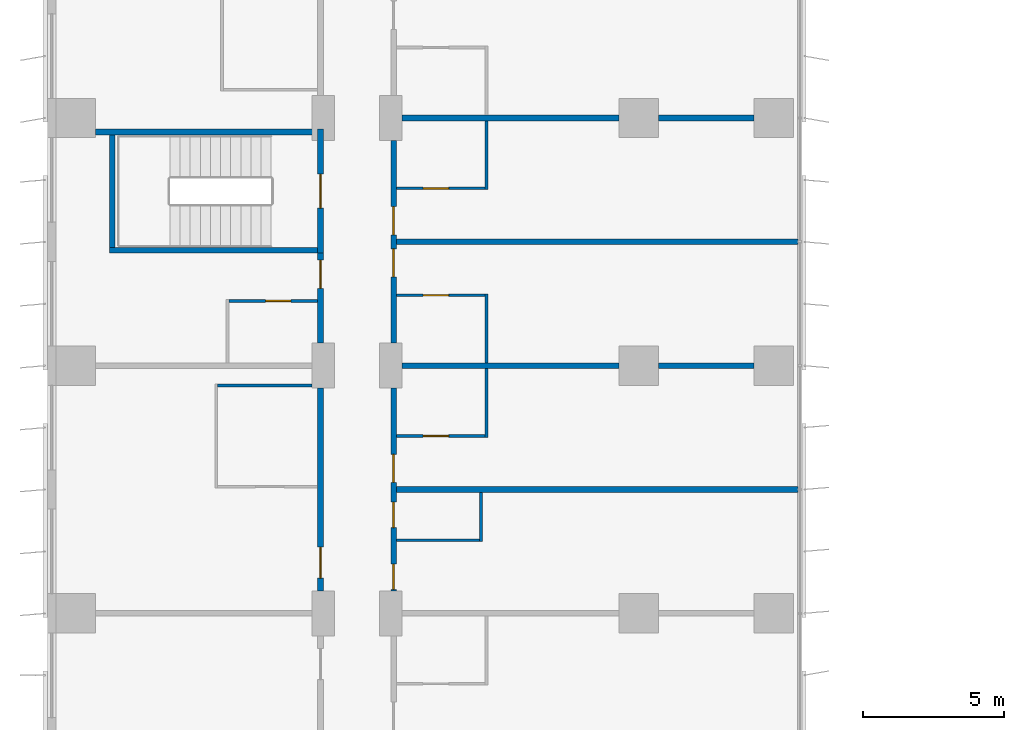
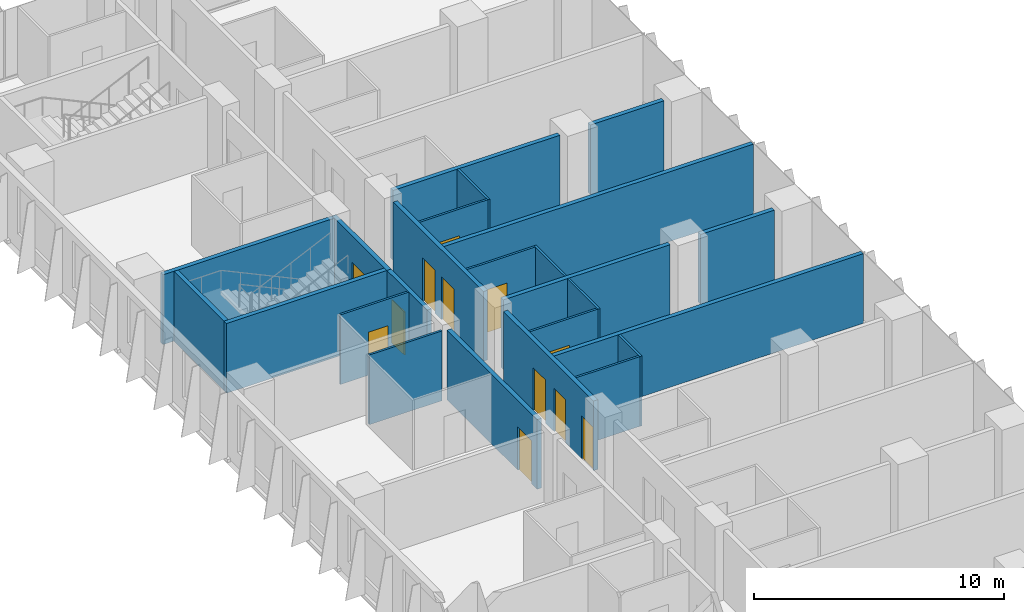
# One storey, part 17 of 24: 24 walls, 12 doors, 12 openings.
"""IFC4 building model written with IfcOpenShell, lengths in metres."""

from ifc_helpers import new_model, si_unit, direction, frame, frame_2d, origin, place, context, subcontext, project, spatial, rectangle, extrude, material, layer, layer_set, type_object, element, fill, save


model = new_model("IFC4")

# Units and contexts
model_context = context("Model", 3, precision=1e-05, world=origin(), true_north=direction((0.0, 1.0)))
body_context = subcontext(model_context, "Body", "Model", "MODEL_VIEW")
ifc_project = project(units=[si_unit("LENGTHUNIT", "METRE"), si_unit("AREAUNIT", "SQUARE_METRE"), si_unit("VOLUMEUNIT", "CUBIC_METRE"), si_unit("PLANEANGLEUNIT", "RADIAN"), si_unit("MASSUNIT", "GRAM", prefix="KILO")], contexts=[model_context])

# Site, building, storey
site_placement = place(None, origin())
site = spatial("IfcSite", under=ifc_project, at=site_placement, CompositionType="ELEMENT")
building_placement = place(site_placement, origin())
building = spatial("IfcBuilding", under=site, at=building_placement, Name="Kemantara Hotel Tower", CompositionType="ELEMENT")
storey_placement = place(building_placement, frame((0.0, 0.0, 59.89990234375)))
storey = spatial("IfcBuildingStorey", under=building, at=storey_placement, Name="L13", CompositionType="ELEMENT", Elevation=59.89990234375)

# Wall, opening, door
ifc_material_1 = material(Name="Gypsum board partition, steel studs and mineral wool, 200 mm", Category="steel")
ifc_layer_1 = layer(ifc_material_1, 0.199951171875)
ifc_layer_set_1 = layer_set([ifc_layer_1], Name="Gypsum board partition, steel studs and mineral wool, 200 mm")
wall_type_1 = type_object("IfcWallType", Name="CORRIDOR WALL 200", PredefinedType="PARTITIONING", material=ifc_layer_set_1)
wall_1_placement = place(storey_placement, frame((9.699951171875, 45.800048828125, 0.0), z_axis=(0.0, 0.0, 1.0), x_axis=(0.0, 1.0, 0.0)))
wall_1 = element("IfcWall", 1, at=wall_1_placement, inside=storey, type_object=wall_type_1, Name="CORRIDOR WALL 200 030", PredefinedType="PARTITIONING", context=body_context, shape_type="SweptSolid", body=[
    extrude(rectangle(XDim=7.199951171875, YDim=0.199951171875, at=frame_2d((3.60009765625, 0.0))), origin(), (0.0, 0.0, 1.0), 3.400146484375),
])
opening_1_placement = place(wall_1_placement, frame((0.449951171875, 0.0, 0.0)))
opening_1 = element("IfcOpeningElement", 2, at=opening_1_placement, cuts=wall_1, Name="Opening F04-041", PredefinedType="OPENING", context=body_context, shape_type="SweptSolid", body=[
    extrude(rectangle(XDim=1.10009765625, YDim=2.10009765625, at=frame_2d((0.550048828125, 1.050048828125))), frame((0.0, 0.10986328125, 0.0), z_axis=(0.0, -1.0, 0.0), x_axis=(1.0, 0.0, 0.0)), (0.0, 0.0, 1.0), 0.219970703125),
])
ifc_material_2 = material(Name="Hardwood veneer door leaf with steel frame", Category="steel")
door_type_1 = type_object("IfcDoorType", Name="GUEST ROOM DOOR 1100 X 2100 FD30S", OperationType="NOTDEFINED", PredefinedType="DOOR", material=ifc_material_2)
door_1_placement = place(opening_1_placement, origin())
door_1 = element("IfcDoor", 3, at=door_1_placement, inside=storey, type_object=door_type_1, Name="GUEST ROOM DOOR F04-041", OperationType="SINGLE_SWING_LEFT", OverallHeight=2.10009765625, OverallWidth=1.10009765625, PredefinedType="DOOR", context=body_context, shape_type="SweptSolid", body=[
    extrude(rectangle(XDim=1.10009765625, YDim=2.10009765625, at=frame_2d((0.550048828125, 1.050048828125))), frame((0.0, 0.02490234375, 0.0), z_axis=(0.0, -1.0, 0.0), x_axis=(1.0, 0.0, 0.0)), (0.0, 0.0, 1.0), 0.050048828125),
])
fill(opening_1, door_1)

wall_2_placement = place(storey_placement, frame((9.699951171875, 54.60009765625, 0.0), z_axis=(0.0, 0.0, 1.0), x_axis=(0.0, 1.0, 0.0)))
wall_2 = element("IfcWall", 4, at=wall_2_placement, inside=storey, type_object=wall_type_1, Name="CORRIDOR WALL 200 031", PredefinedType="PARTITIONING", context=body_context, shape_type="SweptSolid", body=[
    extrude(rectangle(XDim=3.199951171875, YDim=0.199951171875, at=frame_2d((1.60009765625, 0.0))), origin(), (0.0, 0.0, 1.0), 3.400146484375),
])
opening_2_placement = place(wall_2_placement, frame((1.949951171875, 0.0, 0.0)))
opening_2 = element("IfcOpeningElement", 5, at=opening_2_placement, cuts=wall_2, Name="Opening F04-043", PredefinedType="OPENING", context=body_context, shape_type="SweptSolid", body=[
    extrude(rectangle(XDim=1.0, YDim=2.10009765625, at=frame_2d((0.5, 1.050048828125))), frame((0.0, 0.10986328125, 0.0), z_axis=(0.0, -1.0, 0.0), x_axis=(1.0, 0.0, 0.0)), (0.0, 0.0, 1.0), 0.219970703125),
])
door_type_2 = type_object("IfcDoorType", Name="GUEST ROOM DOOR 1000 X 2100 FD30S", OperationType="NOTDEFINED", PredefinedType="DOOR", material=ifc_material_2)
door_2_placement = place(opening_2_placement, origin())
door_2 = element("IfcDoor", 6, at=door_2_placement, inside=storey, type_object=door_type_2, Name="GUEST ROOM DOOR F04-043", OperationType="SINGLE_SWING_RIGHT", OverallHeight=2.10009765625, OverallWidth=1.0, PredefinedType="DOOR", context=body_context, shape_type="SweptSolid", body=[
    extrude(rectangle(XDim=1.0, YDim=2.10009765625, at=frame_2d((0.5, 1.050048828125))), frame((0.0, 0.02490234375, 0.0), z_axis=(0.0, -1.0, 0.0), x_axis=(1.0, 0.0, 0.0)), (0.0, 0.0, 1.0), 0.050048828125),
])
fill(opening_2, door_2)

# Wall, openings, doors
wall_3_placement = place(storey_placement, frame((12.300048828125, 53.0, 0.0), z_axis=(0.0, 0.0, 1.0), x_axis=(0.0, -1.0, 0.0)))
wall_3 = element("IfcWall", 7, at=wall_3_placement, inside=storey, type_object=wall_type_1, Name="CORRIDOR WALL 200 050", PredefinedType="PARTITIONING", context=body_context, shape_type="SweptSolid", body=[
    extrude(rectangle(XDim=7.199951171875, YDim=0.199951171875, at=frame_2d((3.60009765625, 0.0))), origin(), (0.0, 0.0, 1.0), 3.400146484375),
])
opening_3_placement = place(wall_3_placement, frame((6.25, 0.0, 0.0)))
opening_3 = element("IfcOpeningElement", 8, at=opening_3_placement, cuts=wall_3, Name="Opening F04-057", PredefinedType="OPENING", context=body_context, shape_type="SweptSolid", body=[
    extrude(rectangle(XDim=0.89990234375, YDim=2.10009765625, at=frame_2d((0.449951171875, 1.050048828125))), frame((0.0, 0.10986328125, 0.0), z_axis=(0.0, -1.0, 0.0), x_axis=(1.0, 0.0, 0.0)), (0.0, 0.0, 1.0), 0.219970703125),
])
opening_4_placement = place(wall_3_placement, frame((4.0498046875, 0.0, 0.0)))
opening_4 = element("IfcOpeningElement", 9, at=opening_4_placement, cuts=wall_3, Name="Opening F04-058", PredefinedType="OPENING", context=body_context, shape_type="SweptSolid", body=[
    extrude(rectangle(XDim=0.89990234375, YDim=2.10009765625, at=frame_2d((0.449951171875, 1.050048828125))), frame((0.0, 0.10986328125, 0.0), z_axis=(0.0, -1.0, 0.0), x_axis=(1.0, 0.0, 0.0)), (0.0, 0.0, 1.0), 0.219970703125),
])
opening_5_placement = place(wall_3_placement, frame((2.349853515625, 0.0, 0.0)))
opening_5 = element("IfcOpeningElement", 10, at=opening_5_placement, cuts=wall_3, Name="Opening F04-059", PredefinedType="OPENING", context=body_context, shape_type="SweptSolid", body=[
    extrude(rectangle(XDim=1.0, YDim=2.10009765625, at=frame_2d((0.5, 1.050048828125))), frame((0.0, 0.10986328125, 0.0), z_axis=(0.0, -1.0, 0.0), x_axis=(1.0, 0.0, 0.0)), (0.0, 0.0, 1.0), 0.219970703125),
])
door_3_placement = place(opening_5_placement, origin())
door_3 = element("IfcDoor", 11, at=door_3_placement, inside=storey, type_object=door_type_2, Name="GUEST ROOM DOOR F04-059", OperationType="SINGLE_SWING_RIGHT", OverallHeight=2.10009765625, OverallWidth=1.0, PredefinedType="DOOR", context=body_context, shape_type="SweptSolid", body=[
    extrude(rectangle(XDim=1.0, YDim=2.10009765625, at=frame_2d((0.5, 1.050048828125))), frame((0.0, 0.02490234375, 0.0), z_axis=(0.0, -1.0, 0.0), x_axis=(1.0, 0.0, 0.0)), (0.0, 0.0, 1.0), 0.050048828125),
])
fill(opening_5, door_3)
ifc_material_3 = material(Name="Steel door leaf with steel frame", Category="steel")
door_type_3 = type_object("IfcDoorType", Name="SERVICE ROOM DOOR 900 X 2100 FD60", OperationType="NOTDEFINED", PredefinedType="DOOR", material=ifc_material_3)
door_4_placement = place(opening_3_placement, origin())
door_4 = element("IfcDoor", 12, at=door_4_placement, inside=storey, type_object=door_type_3, Name="SERVICE ROOM DOOR F04-057", OperationType="SINGLE_SWING_RIGHT", OverallHeight=2.10009765625, OverallWidth=0.89990234375, PredefinedType="DOOR", context=body_context, shape_type="SweptSolid", body=[
    extrude(rectangle(XDim=0.89990234375, YDim=2.10009765625, at=frame_2d((0.449951171875, 1.050048828125))), frame((0.0, 0.02490234375, 0.0), z_axis=(0.0, -1.0, 0.0), x_axis=(1.0, 0.0, 0.0)), (0.0, 0.0, 1.0), 0.050048828125),
])
fill(opening_3, door_4)
door_5_placement = place(opening_4_placement, origin())
door_5 = element("IfcDoor", 13, at=door_5_placement, inside=storey, type_object=door_type_3, Name="SERVICE ROOM DOOR F04-058", OperationType="SINGLE_SWING_LEFT", OverallHeight=2.10009765625, OverallWidth=0.89990234375, PredefinedType="DOOR", context=body_context, shape_type="SweptSolid", body=[
    extrude(rectangle(XDim=0.89990234375, YDim=2.10009765625, at=frame_2d((0.449951171875, 1.050048828125))), frame((0.0, 0.02490234375, 0.0), z_axis=(0.0, -1.0, 0.0), x_axis=(1.0, 0.0, 0.0)), (0.0, 0.0, 1.0), 0.050048828125),
])
fill(opening_4, door_5)

wall_4_placement = place(storey_placement, frame((12.300048828125, 61.7998046875, 0.0), z_axis=(0.0, 0.0, 1.0), x_axis=(0.0, -1.0, 0.0)))
wall_4 = element("IfcWall", 14, at=wall_4_placement, inside=storey, type_object=wall_type_1, Name="CORRIDOR WALL 200 051", PredefinedType="PARTITIONING", context=body_context, shape_type="SweptSolid", body=[
    extrude(rectangle(XDim=7.19970703125, YDim=0.199951171875, at=frame_2d((3.599853515625, 0.0))), origin(), (0.0, 0.0, 1.0), 3.400146484375),
])
opening_6_placement = place(wall_4_placement, frame((3.849853515625, 0.0, 0.0)))
opening_6 = element("IfcOpeningElement", 15, at=opening_6_placement, cuts=wall_4, Name="Opening F04-061", PredefinedType="OPENING", context=body_context, shape_type="SweptSolid", body=[
    extrude(rectangle(XDim=1.0, YDim=2.10009765625, at=frame_2d((0.5, 1.050048828125))), frame((0.0, 0.10986328125, 0.0), z_axis=(0.0, -1.0, 0.0), x_axis=(1.0, 0.0, 0.0)), (0.0, 0.0, 1.0), 0.219970703125),
])
opening_7_placement = place(wall_4_placement, frame((2.349853515625, 0.0, 0.0)))
opening_7 = element("IfcOpeningElement", 16, at=opening_7_placement, cuts=wall_4, Name="Opening F04-063", PredefinedType="OPENING", context=body_context, shape_type="SweptSolid", body=[
    extrude(rectangle(XDim=1.0, YDim=2.10009765625, at=frame_2d((0.5, 1.050048828125))), frame((0.0, 0.10986328125, 0.0), z_axis=(0.0, -1.0, 0.0), x_axis=(1.0, 0.0, 0.0)), (0.0, 0.0, 1.0), 0.219970703125),
])
door_6_placement = place(opening_6_placement, origin())
door_6 = element("IfcDoor", 17, at=door_6_placement, inside=storey, type_object=door_type_2, Name="GUEST ROOM DOOR F04-061", OperationType="SINGLE_SWING_LEFT", OverallHeight=2.10009765625, OverallWidth=1.0, PredefinedType="DOOR", context=body_context, shape_type="SweptSolid", body=[
    extrude(rectangle(XDim=1.0, YDim=2.10009765625, at=frame_2d((0.5, 1.050048828125))), frame((0.0, 0.02490234375, 0.0), z_axis=(0.0, -1.0, 0.0), x_axis=(1.0, 0.0, 0.0)), (0.0, 0.0, 1.0), 0.050048828125),
])
fill(opening_6, door_6)
door_7_placement = place(opening_7_placement, origin())
door_7 = element("IfcDoor", 18, at=door_7_placement, inside=storey, type_object=door_type_2, Name="GUEST ROOM DOOR F04-063", OperationType="SINGLE_SWING_RIGHT", OverallHeight=2.10009765625, OverallWidth=1.0, PredefinedType="DOOR", context=body_context, shape_type="SweptSolid", body=[
    extrude(rectangle(XDim=1.0, YDim=2.10009765625, at=frame_2d((0.5, 1.050048828125))), frame((0.0, 0.02490234375, 0.0), z_axis=(0.0, -1.0, 0.0), x_axis=(1.0, 0.0, 0.0)), (0.0, 0.0, 1.0), 0.050048828125),
])
fill(opening_7, door_7)

# Wall, opening, door
ifc_material_4 = material(Name="Concrete fc 40 MPa", Category="concrete")
ifc_layer_2 = layer(ifc_material_4, 0.199951171875)
ifc_layer_set_2 = layer_set([ifc_layer_2], Name="Concrete fc 40 MPa")
wall_type_2 = type_object("IfcWallType", Name="Concrete stair wall 200 mm", PredefinedType="SHEAR", material=ifc_layer_set_2)
wall_5_placement = place(storey_placement, frame((9.699951171875, 57.800048828125, 0.0), z_axis=(0.0, 0.0, 1.0), x_axis=(0.0, 1.0, 0.0)))
wall_5 = element("IfcWall", 19, at=wall_5_placement, inside=storey, type_object=wall_type_2, Name="Stair ST4 enclosure wall with door", PredefinedType="SHEAR", context=body_context, shape_type="SweptSolid", body=[
    extrude(rectangle(XDim=4.39990234375, YDim=0.199951171875, at=frame_2d((2.199951171875, 0.0))), origin(), (0.0, 0.0, 1.0), 3.400146484375),
])
opening_8_placement = place(wall_5_placement, frame((1.60009765625, 0.0, 0.0)))
opening_8 = element("IfcOpeningElement", 20, at=opening_8_placement, cuts=wall_5, Name="Opening ST4-C", PredefinedType="OPENING", context=body_context, shape_type="SweptSolid", body=[
    extrude(rectangle(XDim=1.199951171875, YDim=2.10009765625, at=frame_2d((0.60009765625, 1.050048828125))), frame((0.0, 0.10986328125, 0.0), z_axis=(0.0, -1.0, 0.0), x_axis=(1.0, 0.0, 0.0)), (0.0, 0.0, 1.0), 0.219970703125),
])
ifc_material_5 = material(Name="Steel fire door", Category="steel")
door_type_4 = type_object("IfcDoorType", Name="Fire door FD90 1200 x 2100", OperationType="NOTDEFINED", PredefinedType="DOOR", material=ifc_material_5)
door_8_placement = place(opening_8_placement, origin())
door_8 = element("IfcDoor", 21, at=door_8_placement, inside=storey, type_object=door_type_4, Name="Stair ST4 door", OperationType="SINGLE_SWING_RIGHT", OverallHeight=2.10009765625, OverallWidth=1.199951171875, PredefinedType="DOOR", context=body_context, shape_type="SweptSolid", body=[
    extrude(rectangle(XDim=1.199951171875, YDim=2.10009765625, at=frame_2d((0.60009765625, 1.050048828125))), frame((0.0, 0.02490234375, 0.0), z_axis=(0.0, -1.0, 0.0), x_axis=(1.0, 0.0, 0.0)), (0.0, 0.0, 1.0), 0.050048828125),
])
fill(opening_8, door_8)

# Walls
wall_6_placement = place(storey_placement, frame((1.699951171875, 62.10009765625, 0.0), z_axis=(0.0, 0.0, 1.0), x_axis=(1.0, 0.0, 0.0)))
element("IfcWall", 22, at=wall_6_placement, inside=storey, type_object=wall_type_2, Name="Stair ST4 enclosure wall N", PredefinedType="SHEAR", context=body_context, shape_type="SweptSolid", body=[
    extrude(rectangle(XDim=7.900146484375, YDim=0.199951171875, at=frame_2d((3.9501953125, 0.0))), origin(), (0.0, 0.0, 1.0), 3.400146484375),
])
wall_7_placement = place(storey_placement, frame((2.199951171875, 57.89990234375, 0.0), z_axis=(0.0, 0.0, 1.0), x_axis=(1.0, 0.0, 0.0)))
element("IfcWall", 23, at=wall_7_placement, inside=storey, type_object=wall_type_2, Name="Stair ST4 enclosure wall S", PredefinedType="SHEAR", context=body_context, shape_type="SweptSolid", body=[
    extrude(rectangle(XDim=7.400146484375, YDim=0.199951171875, at=frame_2d((3.7001953125, 0.0))), origin(), (0.0, 0.0, 1.0), 3.400146484375),
])
wall_8_placement = place(storey_placement, frame((2.300048828125, 58.0, 0.0), z_axis=(0.0, 0.0, 1.0), x_axis=(0.0, 1.0, 0.0)))
element("IfcWall", 24, at=wall_8_placement, inside=storey, type_object=wall_type_2, Name="Stair ST4 enclosure wall W", PredefinedType="SHEAR", context=body_context, shape_type="SweptSolid", body=[
    extrude(rectangle(XDim=4.0, YDim=0.199951171875, at=frame_2d((2.0, 0.0))), origin(), (0.0, 0.0, 1.0), 3.400146484375),
])
ifc_layer_3 = layer(ifc_material_1, 0.199951171875)
ifc_layer_set_3 = layer_set([ifc_layer_3], Name="Gypsum board partition, steel studs and mineral wool, 200 mm")
wall_type_3 = type_object("IfcWallType", Name="GUEST ROOM PARTY WALL 200", PredefinedType="PARTITIONING", material=ifc_layer_set_3)
wall_9_placement = place(storey_placement, frame((12.60009765625, 53.800048828125, 0.0), z_axis=(0.0, 0.0, 1.0), x_axis=(1.0, 0.0, 0.0)))
element("IfcWall", 25, at=wall_9_placement, inside=storey, type_object=wall_type_3, Name="GUEST ROOM PARTY WALL 200 045", PredefinedType="PARTITIONING", context=body_context, shape_type="SweptSolid", body=[
    extrude(rectangle(XDim=7.69970703125, YDim=0.199951171875, at=frame_2d((3.849853515625, 0.0))), origin(), (0.0, 0.0, 1.0), 3.400146484375),
])
wall_10_placement = place(storey_placement, frame((21.7001953125, 53.800048828125, 0.0), z_axis=(0.0, 0.0, 1.0), x_axis=(1.0, 0.0, 0.0)))
element("IfcWall", 26, at=wall_10_placement, inside=storey, type_object=wall_type_3, Name="GUEST ROOM PARTY WALL 200 046", PredefinedType="PARTITIONING", context=body_context, shape_type="SweptSolid", body=[
    extrude(rectangle(XDim=3.399658203125, YDim=0.199951171875, at=frame_2d((1.69970703125, 0.0))), origin(), (0.0, 0.0, 1.0), 3.400146484375),
])
for number, where, z_axis, x_axis, name in (
    (27, (12.39990234375, 49.39990234375, 0.0), (0.0, 0.0, 1.0), (1.0, 0.0, 0.0), "GUEST ROOM PARTY WALL 200 058"),
    (28, (12.39990234375, 58.199951171875, 0.0), (0.0, 0.0, 1.0), (1.0, 0.0, 0.0), "GUEST ROOM PARTY WALL 200 059"),
):
    element("IfcWall", number, at=place(storey_placement, frame(where, z_axis=z_axis, x_axis=x_axis)), inside=storey, type_object=wall_type_3, Name=name, PredefinedType="PARTITIONING", context=body_context, shape_type="SweptSolid", body=[
        extrude(rectangle(XDim=14.27001953125, YDim=0.199951171875, at=frame_2d((7.135009765625, 0.0))), origin(), (0.0, 0.0, 1.0), 3.400146484375),
    ])
wall_11_placement = place(storey_placement, frame((12.60009765625, 62.60009765625, 0.0), z_axis=(0.0, 0.0, 1.0), x_axis=(1.0, 0.0, 0.0)))
element("IfcWall", 29, at=wall_11_placement, inside=storey, type_object=wall_type_3, Name="GUEST ROOM PARTY WALL 200 060", PredefinedType="PARTITIONING", context=body_context, shape_type="SweptSolid", body=[
    extrude(rectangle(XDim=7.69970703125, YDim=0.199951171875, at=frame_2d((3.849853515625, 0.0))), origin(), (0.0, 0.0, 1.0), 3.400146484375),
])
wall_12_placement = place(storey_placement, frame((21.7001953125, 62.60009765625, 0.0), z_axis=(0.0, 0.0, 1.0), x_axis=(1.0, 0.0, 0.0)))
element("IfcWall", 30, at=wall_12_placement, inside=storey, type_object=wall_type_3, Name="GUEST ROOM PARTY WALL 200 061", PredefinedType="PARTITIONING", context=body_context, shape_type="SweptSolid", body=[
    extrude(rectangle(XDim=3.399658203125, YDim=0.199951171875, at=frame_2d((1.69970703125, 0.0))), origin(), (0.0, 0.0, 1.0), 3.400146484375),
])
ifc_material_6 = material(Name="Gypsum board partition on steel studs, 100 mm", Category="steel")
ifc_layer_4 = layer(ifc_material_6, 0.10009765625)
ifc_layer_set_4 = layer_set([ifc_layer_4], Name="Gypsum board partition on steel studs, 100 mm")
wall_type_4 = type_object("IfcWallType", Name="ROOM PARTITION 100", PredefinedType="PARTITIONING", material=ifc_layer_set_4)
wall_13_placement = place(storey_placement, frame((6.050048828125, 53.10009765625, 0.0), z_axis=(0.0, 0.0, 1.0), x_axis=(1.0, 0.0, 0.0)))
element("IfcWall", 31, at=wall_13_placement, inside=storey, type_object=wall_type_4, Name="ROOM PARTITION 100 113", PredefinedType="PARTITIONING", context=body_context, shape_type="SweptSolid", body=[
    extrude(rectangle(XDim=3.349853515625, YDim=0.10009765625, at=frame_2d((1.6748046875, 0.0))), origin(), (0.0, 0.0, 1.0), 3.400146484375),
])

# Wall, opening, door
wall_14_placement = place(storey_placement, frame((9.60009765625, 56.10009765625, 0.0), z_axis=(0.0, 0.0, 1.0), x_axis=(-1.0, 0.0, 0.0)))
wall_14 = element("IfcWall", 32, at=wall_14_placement, inside=storey, type_object=wall_type_4, Name="ROOM PARTITION 100 114", PredefinedType="PARTITIONING", context=body_context, shape_type="SweptSolid", body=[
    extrude(rectangle(XDim=3.150146484375, YDim=0.10009765625, at=frame_2d((1.5751953125, 0.0))), origin(), (0.0, 0.0, 1.0), 3.400146484375),
])
opening_9_placement = place(wall_14_placement, frame((0.949951171875, 0.0, 0.0)))
opening_9 = element("IfcOpeningElement", 33, at=opening_9_placement, cuts=wall_14, Name="Opening F04-044", PredefinedType="OPENING", context=body_context, shape_type="SweptSolid", body=[
    extrude(rectangle(XDim=0.89990234375, YDim=2.10009765625, at=frame_2d((0.449951171875, 1.050048828125))), frame((0.0, 0.06005859375, 0.0), z_axis=(0.0, -1.0, 0.0), x_axis=(1.0, 0.0, 0.0)), (0.0, 0.0, 1.0), 0.1201171875),
])
door_type_5 = type_object("IfcDoorType", Name="BATHROOM DOOR 900 X 2100", OperationType="NOTDEFINED", PredefinedType="DOOR", material=ifc_material_2)
door_9_placement = place(opening_9_placement, origin())
door_9 = element("IfcDoor", 34, at=door_9_placement, inside=storey, type_object=door_type_5, Name="BATHROOM DOOR F04-044", OperationType="SINGLE_SWING_LEFT", OverallHeight=2.10009765625, OverallWidth=0.89990234375, PredefinedType="DOOR", context=body_context, shape_type="SweptSolid", body=[
    extrude(rectangle(XDim=0.89990234375, YDim=2.10009765625, at=frame_2d((0.449951171875, 1.050048828125))), frame((0.0, 0.02490234375, 0.0), z_axis=(0.0, -1.0, 0.0), x_axis=(1.0, 0.0, 0.0)), (0.0, 0.0, 1.0), 0.050048828125),
])
fill(opening_9, door_9)

# Walls
wall_15_placement = place(storey_placement, frame((15.60009765625, 51.25, 0.0), z_axis=(0.0, 0.0, 1.0), x_axis=(0.0, 1.0, 0.0)))
element("IfcWall", 35, at=wall_15_placement, inside=storey, type_object=wall_type_4, Name="ROOM PARTITION 100 123", PredefinedType="PARTITIONING", context=body_context, shape_type="SweptSolid", body=[
    extrude(rectangle(XDim=2.449951171875, YDim=0.10009765625, at=frame_2d((1.22509765625, 0.0))), origin(), (0.0, 0.0, 1.0), 3.400146484375),
])
wall_16_placement = place(storey_placement, frame((15.60009765625, 53.89990234375, 0.0), z_axis=(0.0, 0.0, 1.0), x_axis=(0.0, 1.0, 0.0)))
element("IfcWall", 36, at=wall_16_placement, inside=storey, type_object=wall_type_4, Name="ROOM PARTITION 100 124", PredefinedType="PARTITIONING", context=body_context, shape_type="SweptSolid", body=[
    extrude(rectangle(XDim=2.4501953125, YDim=0.10009765625, at=frame_2d((1.22509765625, 0.0))), origin(), (0.0, 0.0, 1.0), 3.400146484375),
])
wall_17_placement = place(storey_placement, frame((15.60009765625, 60.050048828125, 0.0), z_axis=(0.0, 0.0, 1.0), x_axis=(0.0, 1.0, 0.0)))
element("IfcWall", 37, at=wall_17_placement, inside=storey, type_object=wall_type_4, Name="ROOM PARTITION 100 125", PredefinedType="PARTITIONING", context=body_context, shape_type="SweptSolid", body=[
    extrude(rectangle(XDim=2.449951171875, YDim=0.10009765625, at=frame_2d((1.22509765625, 0.0))), origin(), (0.0, 0.0, 1.0), 3.400146484375),
])
wall_18_placement = place(storey_placement, frame((15.39990234375, 47.550048828125, 0.0), z_axis=(0.0, 0.0, 1.0), x_axis=(0.0, 1.0, 0.0)))
element("IfcWall", 38, at=wall_18_placement, inside=storey, type_object=wall_type_4, Name="ROOM PARTITION 100 130", PredefinedType="PARTITIONING", context=body_context, shape_type="SweptSolid", body=[
    extrude(rectangle(XDim=1.75, YDim=0.10009765625, at=frame_2d((0.875, 0.0))), origin(), (0.0, 0.0, 1.0), 3.400146484375),
])
wall_19_placement = place(storey_placement, frame((12.39990234375, 47.60009765625, 0.0), z_axis=(0.0, 0.0, 1.0), x_axis=(1.0, 0.0, 0.0)))
element("IfcWall", 39, at=wall_19_placement, inside=storey, type_object=wall_type_4, Name="ROOM PARTITION 100 131", PredefinedType="PARTITIONING", context=body_context, shape_type="SweptSolid", body=[
    extrude(rectangle(XDim=2.9501953125, YDim=0.10009765625, at=frame_2d((1.47509765625, 0.0))), origin(), (0.0, 0.0, 1.0), 3.400146484375),
])

# Wall, opening, door
wall_20_placement = place(storey_placement, frame((12.39990234375, 51.300048828125, 0.0), z_axis=(0.0, 0.0, 1.0), x_axis=(1.0, 0.0, 0.0)))
wall_20 = element("IfcWall", 40, at=wall_20_placement, inside=storey, type_object=wall_type_4, Name="ROOM PARTITION 100 132", PredefinedType="PARTITIONING", context=body_context, shape_type="SweptSolid", body=[
    extrude(rectangle(XDim=3.150146484375, YDim=0.10009765625, at=frame_2d((1.5751953125, 0.0))), origin(), (0.0, 0.0, 1.0), 3.400146484375),
])
opening_10_placement = place(wall_20_placement, frame((0.949951171875, 0.0, 0.0)))
opening_10 = element("IfcOpeningElement", 41, at=opening_10_placement, cuts=wall_20, Name="Opening F04-060", PredefinedType="OPENING", context=body_context, shape_type="SweptSolid", body=[
    extrude(rectangle(XDim=0.89990234375, YDim=2.10009765625, at=frame_2d((0.449951171875, 1.050048828125))), frame((0.0, 0.06005859375, 0.0), z_axis=(0.0, -1.0, 0.0), x_axis=(1.0, 0.0, 0.0)), (0.0, 0.0, 1.0), 0.1201171875),
])
door_10_placement = place(opening_10_placement, origin())
door_10 = element("IfcDoor", 42, at=door_10_placement, inside=storey, type_object=door_type_5, Name="BATHROOM DOOR F04-060", OperationType="SINGLE_SWING_LEFT", OverallHeight=2.10009765625, OverallWidth=0.89990234375, PredefinedType="DOOR", context=body_context, shape_type="SweptSolid", body=[
    extrude(rectangle(XDim=0.89990234375, YDim=2.10009765625, at=frame_2d((0.449951171875, 1.050048828125))), frame((0.0, 0.02490234375, 0.0), z_axis=(0.0, -1.0, 0.0), x_axis=(1.0, 0.0, 0.0)), (0.0, 0.0, 1.0), 0.050048828125),
])
fill(opening_10, door_10)

wall_21_placement = place(storey_placement, frame((15.550048828125, 56.300048828125, 0.0), z_axis=(0.0, 0.0, 1.0), x_axis=(-1.0, 0.0, 0.0)))
wall_21 = element("IfcWall", 43, at=wall_21_placement, inside=storey, type_object=wall_type_4, Name="ROOM PARTITION 100 133", PredefinedType="PARTITIONING", context=body_context, shape_type="SweptSolid", body=[
    extrude(rectangle(XDim=3.150146484375, YDim=0.10009765625, at=frame_2d((1.5751953125, 0.0))), origin(), (0.0, 0.0, 1.0), 3.400146484375),
])
opening_11_placement = place(wall_21_placement, frame((1.300048828125, 0.0, 0.0)))
opening_11 = element("IfcOpeningElement", 44, at=opening_11_placement, cuts=wall_21, Name="Opening F04-062", PredefinedType="OPENING", context=body_context, shape_type="SweptSolid", body=[
    extrude(rectangle(XDim=0.89990234375, YDim=2.10009765625, at=frame_2d((0.449951171875, 1.050048828125))), frame((0.0, 0.06005859375, 0.0), z_axis=(0.0, -1.0, 0.0), x_axis=(1.0, 0.0, 0.0)), (0.0, 0.0, 1.0), 0.1201171875),
])
door_11_placement = place(opening_11_placement, origin())
door_11 = element("IfcDoor", 45, at=door_11_placement, inside=storey, type_object=door_type_5, Name="BATHROOM DOOR F04-062", OperationType="SINGLE_SWING_RIGHT", OverallHeight=2.10009765625, OverallWidth=0.89990234375, PredefinedType="DOOR", context=body_context, shape_type="SweptSolid", body=[
    extrude(rectangle(XDim=0.89990234375, YDim=2.10009765625, at=frame_2d((0.449951171875, 1.050048828125))), frame((0.0, 0.02490234375, 0.0), z_axis=(0.0, -1.0, 0.0), x_axis=(1.0, 0.0, 0.0)), (0.0, 0.0, 1.0), 0.050048828125),
])
fill(opening_11, door_11)

wall_22_placement = place(storey_placement, frame((12.39990234375, 60.10009765625, 0.0), z_axis=(0.0, 0.0, 1.0), x_axis=(1.0, 0.0, 0.0)))
wall_22 = element("IfcWall", 46, at=wall_22_placement, inside=storey, type_object=wall_type_4, Name="ROOM PARTITION 100 134", PredefinedType="PARTITIONING", context=body_context, shape_type="SweptSolid", body=[
    extrude(rectangle(XDim=3.150146484375, YDim=0.10009765625, at=frame_2d((1.5751953125, 0.0))), origin(), (0.0, 0.0, 1.0), 3.400146484375),
])
opening_12_placement = place(wall_22_placement, frame((0.949951171875, 0.0, 0.0)))
opening_12 = element("IfcOpeningElement", 47, at=opening_12_placement, cuts=wall_22, Name="Opening F04-064", PredefinedType="OPENING", context=body_context, shape_type="SweptSolid", body=[
    extrude(rectangle(XDim=0.89990234375, YDim=2.10009765625, at=frame_2d((0.449951171875, 1.050048828125))), frame((0.0, 0.06005859375, 0.0), z_axis=(0.0, -1.0, 0.0), x_axis=(1.0, 0.0, 0.0)), (0.0, 0.0, 1.0), 0.1201171875),
])
door_12_placement = place(opening_12_placement, origin())
door_12 = element("IfcDoor", 48, at=door_12_placement, inside=storey, type_object=door_type_5, Name="BATHROOM DOOR F04-064", OperationType="SINGLE_SWING_LEFT", OverallHeight=2.10009765625, OverallWidth=0.89990234375, PredefinedType="DOOR", context=body_context, shape_type="SweptSolid", body=[
    extrude(rectangle(XDim=0.89990234375, YDim=2.10009765625, at=frame_2d((0.449951171875, 1.050048828125))), frame((0.0, 0.02490234375, 0.0), z_axis=(0.0, -1.0, 0.0), x_axis=(1.0, 0.0, 0.0)), (0.0, 0.0, 1.0), 0.050048828125),
])
fill(opening_12, door_12)

save(model, "model.ifc")
